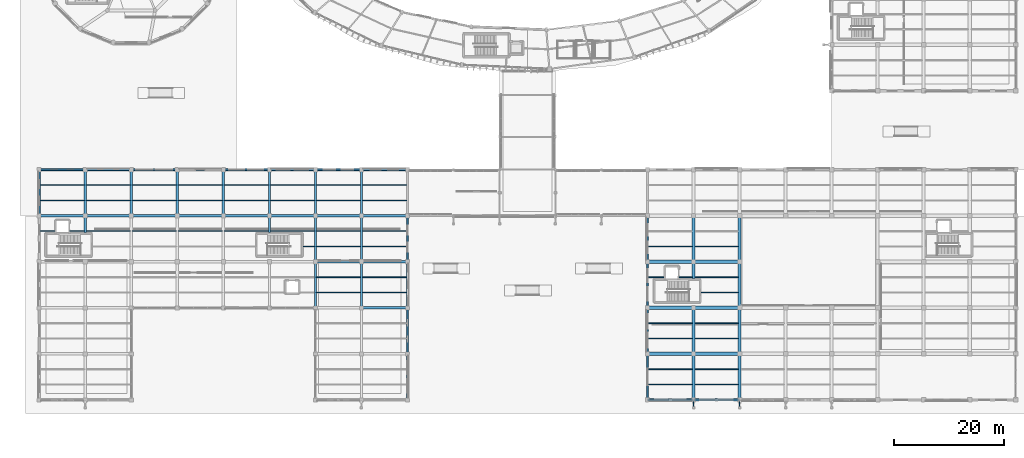
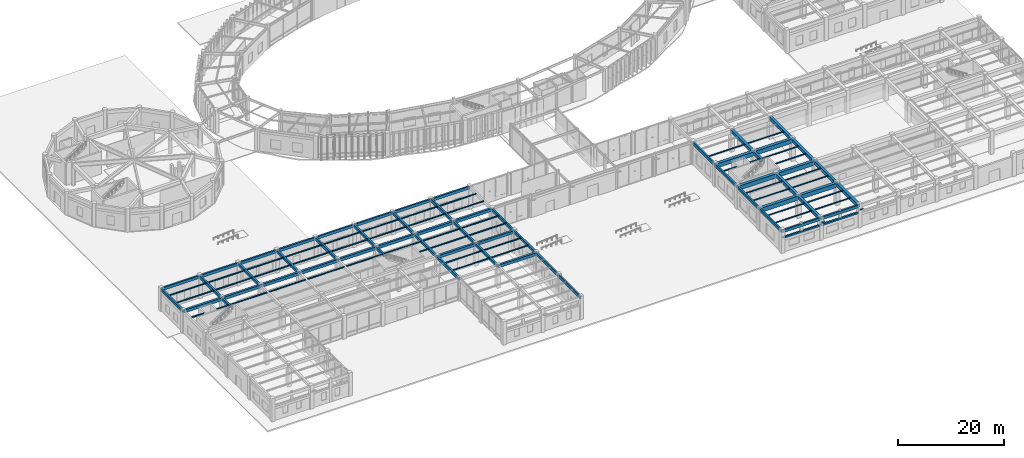
# One storey, part 23 of 157: 105 beams, 2 members.
"""IFC4 building model written with IfcOpenShell, lengths in metres."""

from ifc_helpers import new_model, si_unit, direction, frame, origin, origin_2d, place, context, subcontext, project, spatial, rectangle, hollow_rectangle, i_section, extrude, material, material_profile, profile_set, type_object, element, save


model = new_model("IFC4")

# Units and contexts
model_context = context("Model", 3, precision=1e-05, world=origin(), true_north=direction((0.0, 1.0)))
body_context = subcontext(model_context, "Body", "Model", "MODEL_VIEW")
ifc_project = project(units=[si_unit("LENGTHUNIT", "METRE"), si_unit("AREAUNIT", "SQUARE_METRE"), si_unit("VOLUMEUNIT", "CUBIC_METRE"), si_unit("PLANEANGLEUNIT", "RADIAN"), si_unit("MASSUNIT", "GRAM", prefix="KILO"), si_unit("THERMODYNAMICTEMPERATUREUNIT", "KELVIN"), si_unit("POWERUNIT", "WATT")], contexts=[model_context])

# Site, building, storey
site_placement = place(None, origin())
site = spatial("IfcSite", under=ifc_project, at=site_placement, CompositionType="ELEMENT")
building_placement = place(site_placement, origin())
building = spatial("IfcBuilding", under=site, at=building_placement, Name="Darbajah Civic Hall", CompositionType="ELEMENT")
storey_placement = place(building_placement, origin())
storey = spatial("IfcBuildingStorey", under=building, at=storey_placement, Name="L00", CompositionType="ELEMENT", Elevation=0.0)

# Beams
ifc_material_1 = material(Name="Concrete C45/55", Category="concrete")
ifc_material_profile_1 = material_profile(ifc_material_1, rectangle(XDim=0.39990234375, YDim=0.60009765625, at=origin_2d()), Name="RC BEAM 400x600")
ifc_profile_set_1 = profile_set([ifc_material_profile_1], Name="Concrete C45/55")
beam_type_1 = type_object("IfcBeamType", Name="RC BEAM 400x600", PredefinedType="BEAM", material=ifc_profile_set_1)
beam_1_placement = place(storey_placement, frame((8.39990234375, 30.5400390625, 4.840087890625), z_axis=(0.0, 1.0, 0.0), x_axis=(-1.0, 0.0, 0.0)))
element("IfcBeam", 1, at=beam_1_placement, inside=storey, type_object=beam_type_1, Name="L00 beam BM-4060", PredefinedType="BEAM", context=body_context, shape_type="SweptSolid", body=[
    extrude(rectangle(XDim=0.39990234375, YDim=0.60009765625, at=origin_2d()), origin(), (0.0, 0.0, 1.0), 2.97998046875),
])
for number, where, z_axis, x_axis, name in (
    (2, (8.39990234375, 33.679931640625, 4.840087890625), (0.0, 1.0, 0.0), (-1.0, 0.0, 0.0), "L00 beam BM-4060"),
    (3, (16.800048828125, 33.679931640625, 4.840087890625), (0.0, 1.0, 0.0), (-1.0, 0.0, 0.0), "L00 beam BM-4060"),
    (4, (25.199951171875, 33.679931640625, 4.840087890625), (0.0, 1.0, 0.0), (-1.0, 0.0, 0.0), "L00 beam BM-4060"),
    (5, (33.60009765625, 33.679931640625, 4.840087890625), (0.0, 1.0, 0.0), (-1.0, 0.0, 0.0), "L00 beam BM-4060"),
):
    element("IfcBeam", number, at=place(storey_placement, frame(where, z_axis=z_axis, x_axis=x_axis)), inside=storey, type_object=beam_type_1, Name=name, PredefinedType="BEAM", context=body_context, shape_type="SweptSolid", body=[
        extrude(rectangle(XDim=0.39990234375, YDim=0.60009765625, at=origin_2d()), origin(), (0.0, 0.0, 1.0), 8.239990234375),
    ])
beam_2_placement = place(storey_placement, frame((42.0, 30.5400390625, 4.840087890625), z_axis=(0.0, 1.0, 0.0), x_axis=(-1.0, 0.0, 0.0)))
element("IfcBeam", 6, at=beam_2_placement, inside=storey, type_object=beam_type_1, Name="L00 beam BM-4060", PredefinedType="BEAM", context=body_context, shape_type="SweptSolid", body=[
    extrude(rectangle(XDim=0.39990234375, YDim=0.60009765625, at=origin_2d()), origin(), (0.0, 0.0, 1.0), 2.97998046875),
])
beam_3_placement = place(storey_placement, frame((42.0, 33.679931640625, 4.840087890625), z_axis=(0.0, 1.0, 0.0), x_axis=(-1.0, 0.0, 0.0)))
element("IfcBeam", 7, at=beam_3_placement, inside=storey, type_object=beam_type_1, Name="L00 beam BM-4060", PredefinedType="BEAM", context=body_context, shape_type="SweptSolid", body=[
    extrude(rectangle(XDim=0.39990234375, YDim=0.60009765625, at=origin_2d()), origin(), (0.0, 0.0, 1.0), 8.239990234375),
])
beam_4_placement = place(storey_placement, frame((50.39990234375, 16.8798828125, 4.840087890625), z_axis=(0.0, 1.0, 0.0), x_axis=(-1.0, 0.0, 0.0)))
element("IfcBeam", 8, at=beam_4_placement, inside=storey, type_object=beam_type_1, Name="L00 beam BM-4060", PredefinedType="BEAM", context=body_context, shape_type="SweptSolid", body=[
    extrude(rectangle(XDim=0.39990234375, YDim=0.60009765625, at=origin_2d()), origin(), (0.0, 0.0, 1.0), 8.240234375),
])
for number, where, z_axis, x_axis, name in (
    (9, (50.39990234375, 25.280029296875, 4.840087890625), (0.0, 1.0, 0.0), (-1.0, 0.0, 0.0), "L00 beam BM-4060"),
    (10, (50.39990234375, 33.679931640625, 4.840087890625), (0.0, 1.0, 0.0), (-1.0, 0.0, 0.0), "L00 beam BM-4060"),
):
    element("IfcBeam", number, at=place(storey_placement, frame(where, z_axis=z_axis, x_axis=x_axis)), inside=storey, type_object=beam_type_1, Name=name, PredefinedType="BEAM", context=body_context, shape_type="SweptSolid", body=[
        extrude(rectangle(XDim=0.39990234375, YDim=0.60009765625, at=origin_2d()), origin(), (0.0, 0.0, 1.0), 8.239990234375),
    ])
beam_5_placement = place(storey_placement, frame((58.800048828125, 16.8798828125, 4.840087890625), z_axis=(0.0, 1.0, 0.0), x_axis=(-1.0, 0.0, 0.0)))
element("IfcBeam", 11, at=beam_5_placement, inside=storey, type_object=beam_type_1, Name="L00 beam BM-4060", PredefinedType="BEAM", context=body_context, shape_type="SweptSolid", body=[
    extrude(rectangle(XDim=0.39990234375, YDim=0.60009765625, at=origin_2d()), origin(), (0.0, 0.0, 1.0), 8.240234375),
])
for number, where, z_axis, x_axis, name in (
    (12, (58.800048828125, 25.280029296875, 4.840087890625), (0.0, 1.0, 0.0), (-1.0, 0.0, 0.0), "L00 beam BM-4060"),
    (13, (58.800048828125, 33.679931640625, 4.840087890625), (0.0, 1.0, 0.0), (-1.0, 0.0, 0.0), "L00 beam BM-4060"),
):
    element("IfcBeam", number, at=place(storey_placement, frame(where, z_axis=z_axis, x_axis=x_axis)), inside=storey, type_object=beam_type_1, Name=name, PredefinedType="BEAM", context=body_context, shape_type="SweptSolid", body=[
        extrude(rectangle(XDim=0.39990234375, YDim=0.60009765625, at=origin_2d()), origin(), (0.0, 0.0, 1.0), 8.239990234375),
    ])
ifc_material_profile_2 = material_profile(ifc_material_1, rectangle(XDim=0.449951171875, YDim=0.64990234375, at=origin_2d()), Name="RC BEAM 450x650")
ifc_profile_set_2 = profile_set([ifc_material_profile_2], Name="Concrete C45/55")
beam_type_2 = type_object("IfcBeamType", Name="RC BEAM 450x650", PredefinedType="BEAM", material=ifc_profile_set_2)
beam_6_placement = place(storey_placement, frame((58.8798828125, 16.800048828125, 4.81494140625), z_axis=(1.0, 0.0, 0.0), x_axis=(0.0, 1.0, 0.0)))
element("IfcBeam", 14, at=beam_6_placement, inside=storey, type_object=beam_type_2, Name="L00 beam BM-4565", PredefinedType="BEAM", context=body_context, shape_type="SweptSolid", body=[
    extrude(rectangle(XDim=0.449951171875, YDim=0.64990234375, at=origin_2d()), origin(), (0.0, 0.0, 1.0), 8.240234375),
])
beam_7_placement = place(storey_placement, frame((50.47998046875, 25.199951171875, 4.81494140625), z_axis=(1.0, 0.0, 0.0), x_axis=(0.0, 1.0, 0.0)))
element("IfcBeam", 15, at=beam_7_placement, inside=storey, type_object=beam_type_2, Name="L00 beam BM-4565", PredefinedType="BEAM", context=body_context, shape_type="SweptSolid", body=[
    extrude(rectangle(XDim=0.449951171875, YDim=0.64990234375, at=origin_2d()), origin(), (0.0, 0.0, 1.0), 8.239990234375),
])
beam_8_placement = place(storey_placement, frame((58.8798828125, 25.199951171875, 4.81494140625), z_axis=(1.0, 0.0, 0.0), x_axis=(0.0, 1.0, 0.0)))
element("IfcBeam", 16, at=beam_8_placement, inside=storey, type_object=beam_type_2, Name="L00 beam BM-4565", PredefinedType="BEAM", context=body_context, shape_type="SweptSolid", body=[
    extrude(rectangle(XDim=0.449951171875, YDim=0.64990234375, at=origin_2d()), origin(), (0.0, 0.0, 1.0), 8.240234375),
])
for number, where, z_axis, x_axis, name in (
    (17, (0.080078125, 33.60009765625, 4.81494140625), (1.0, 0.0, 0.0), (0.0, 1.0, 0.0), "L00 beam BM-4565"),
    (18, (8.47998046875, 33.60009765625, 4.81494140625), (1.0, 0.0, 0.0), (0.0, 1.0, 0.0), "L00 beam BM-4565"),
):
    element("IfcBeam", number, at=place(storey_placement, frame(where, z_axis=z_axis, x_axis=x_axis)), inside=storey, type_object=beam_type_2, Name=name, PredefinedType="BEAM", context=body_context, shape_type="SweptSolid", body=[
        extrude(rectangle(XDim=0.449951171875, YDim=0.64990234375, at=origin_2d()), origin(), (0.0, 0.0, 1.0), 8.239990234375),
    ])
beam_9_placement = place(storey_placement, frame((16.8798828125, 33.60009765625, 4.81494140625), z_axis=(1.0, 0.0, 0.0), x_axis=(0.0, 1.0, 0.0)))
element("IfcBeam", 19, at=beam_9_placement, inside=storey, type_object=beam_type_2, Name="L00 beam BM-4565", PredefinedType="BEAM", context=body_context, shape_type="SweptSolid", body=[
    extrude(rectangle(XDim=0.449951171875, YDim=0.64990234375, at=origin_2d()), origin(), (0.0, 0.0, 1.0), 8.240234375),
])
for number, where, z_axis, x_axis, name in (
    (20, (25.280029296875, 33.60009765625, 4.81494140625), (1.0, 0.0, 0.0), (0.0, 1.0, 0.0), "L00 beam BM-4565"),
    (21, (33.679931640625, 33.60009765625, 4.81494140625), (1.0, 0.0, 0.0), (0.0, 1.0, 0.0), "L00 beam BM-4565"),
    (22, (42.080078125, 33.60009765625, 4.81494140625), (1.0, 0.0, 0.0), (0.0, 1.0, 0.0), "L00 beam BM-4565"),
    (23, (50.47998046875, 33.60009765625, 4.81494140625), (1.0, 0.0, 0.0), (0.0, 1.0, 0.0), "L00 beam BM-4565"),
):
    element("IfcBeam", number, at=place(storey_placement, frame(where, z_axis=z_axis, x_axis=x_axis)), inside=storey, type_object=beam_type_2, Name=name, PredefinedType="BEAM", context=body_context, shape_type="SweptSolid", body=[
        extrude(rectangle(XDim=0.449951171875, YDim=0.64990234375, at=origin_2d()), origin(), (0.0, 0.0, 1.0), 8.239990234375),
    ])
beam_10_placement = place(storey_placement, frame((58.8798828125, 33.60009765625, 4.81494140625), z_axis=(1.0, 0.0, 0.0), x_axis=(0.0, 1.0, 0.0)))
element("IfcBeam", 24, at=beam_10_placement, inside=storey, type_object=beam_type_2, Name="L00 beam BM-4565", PredefinedType="BEAM", context=body_context, shape_type="SweptSolid", body=[
    extrude(rectangle(XDim=0.449951171875, YDim=0.64990234375, at=origin_2d()), origin(), (0.0, 0.0, 1.0), 8.240234375),
])
ifc_material_profile_3 = material_profile(ifc_material_1, rectangle(XDim=0.550048828125, YDim=0.75, at=origin_2d()), Name="RC BEAM 550x750")
ifc_profile_set_3 = profile_set([ifc_material_profile_3], Name="Concrete C45/55")
beam_type_3 = type_object("IfcBeamType", Name="RC BEAM 550x750", PredefinedType="BEAM", material=ifc_profile_set_3)
for number, where, z_axis, x_axis, name in (
    (25, (119.39990234375, 0.080078125, 4.72509765625), (0.0, 1.0, 0.0), (-1.0, 0.0, 0.0), "L00 beam BM-5575"),
    (26, (119.39990234375, 8.47998046875, 4.72509765625), (0.0, 1.0, 0.0), (-1.0, 0.0, 0.0), "L00 beam BM-5575"),
):
    element("IfcBeam", number, at=place(storey_placement, frame(where, z_axis=z_axis, x_axis=x_axis)), inside=storey, type_object=beam_type_3, Name=name, PredefinedType="BEAM", context=body_context, shape_type="SweptSolid", body=[
        extrude(rectangle(XDim=0.550048828125, YDim=0.75, at=origin_2d()), origin(), (0.0, 0.0, 1.0), 8.239990234375),
    ])
beam_11_placement = place(storey_placement, frame((119.39990234375, 22.139892578125, 4.72509765625), z_axis=(0.0, 1.0, 0.0), x_axis=(-1.0, 0.0, 0.0)))
element("IfcBeam", 27, at=beam_11_placement, inside=storey, type_object=beam_type_3, Name="L00 beam BM-5575", PredefinedType="BEAM", context=body_context, shape_type="SweptSolid", body=[
    extrude(rectangle(XDim=0.550048828125, YDim=0.75, at=origin_2d()), origin(), (0.0, 0.0, 1.0), 2.980224609375),
])
for number, where, z_axis, x_axis, name in (
    (28, (119.39990234375, 25.280029296875, 4.72509765625), (0.0, 1.0, 0.0), (-1.0, 0.0, 0.0), "L00 beam BM-5575"),
    (29, (127.800048828125, 0.080078125, 4.72509765625), (0.0, 1.0, 0.0), (-1.0, 0.0, 0.0), "L00 beam BM-5575"),
    (30, (127.800048828125, 8.47998046875, 4.72509765625), (0.0, 1.0, 0.0), (-1.0, 0.0, 0.0), "L00 beam BM-5575"),
):
    element("IfcBeam", number, at=place(storey_placement, frame(where, z_axis=z_axis, x_axis=x_axis)), inside=storey, type_object=beam_type_3, Name=name, PredefinedType="BEAM", context=body_context, shape_type="SweptSolid", body=[
        extrude(rectangle(XDim=0.550048828125, YDim=0.75, at=origin_2d()), origin(), (0.0, 0.0, 1.0), 8.239990234375),
    ])
beam_12_placement = place(storey_placement, frame((127.800048828125, 16.8798828125, 4.72509765625), z_axis=(0.0, 1.0, 0.0), x_axis=(-1.0, 0.0, 0.0)))
element("IfcBeam", 31, at=beam_12_placement, inside=storey, type_object=beam_type_3, Name="L00 beam BM-5575", PredefinedType="BEAM", context=body_context, shape_type="SweptSolid", body=[
    extrude(rectangle(XDim=0.550048828125, YDim=0.75, at=origin_2d()), origin(), (0.0, 0.0, 1.0), 8.240234375),
])
beam_13_placement = place(storey_placement, frame((127.800048828125, 25.280029296875, 4.72509765625), z_axis=(0.0, 1.0, 0.0), x_axis=(-1.0, 0.0, 0.0)))
element("IfcBeam", 32, at=beam_13_placement, inside=storey, type_object=beam_type_3, Name="L00 beam BM-5575", PredefinedType="BEAM", context=body_context, shape_type="SweptSolid", body=[
    extrude(rectangle(XDim=0.550048828125, YDim=0.75, at=origin_2d()), origin(), (0.0, 0.0, 1.0), 8.239990234375),
])
ifc_material_2 = material(Name="Concrete C50/60", Category="concrete")
ifc_material_profile_4 = material_profile(ifc_material_2, rectangle(XDim=0.64990234375, YDim=0.949951171875, at=origin_2d()), Name="RC GIRDER 650x950")
ifc_profile_set_4 = profile_set([ifc_material_profile_4], Name="Concrete C50/60")
beam_type_4 = type_object("IfcBeamType", Name="RC GIRDER 650x950", PredefinedType="BEAM", material=ifc_profile_set_4)
for number, where, z_axis, x_axis, name in (
    (33, (111.080078125, 8.39990234375, 4.625), (1.0, 0.0, 0.0), (0.0, 1.0, 0.0), "L00 beam BG-6595"),
    (34, (119.47998046875, 8.39990234375, 4.625), (1.0, 0.0, 0.0), (0.0, 1.0, 0.0), "L00 beam BG-6595"),
    (35, (111.080078125, 16.800048828125, 4.625), (1.0, 0.0, 0.0), (0.0, 1.0, 0.0), "L00 beam BG-6595"),
    (36, (119.47998046875, 16.800048828125, 4.625), (1.0, 0.0, 0.0), (0.0, 1.0, 0.0), "L00 beam BG-6595"),
    (37, (111.080078125, 25.199951171875, 4.625), (1.0, 0.0, 0.0), (0.0, 1.0, 0.0), "L00 beam BG-6595"),
    (38, (119.47998046875, 25.199951171875, 4.625), (1.0, 0.0, 0.0), (0.0, 1.0, 0.0), "L00 beam BG-6595"),
):
    element("IfcBeam", number, at=place(storey_placement, frame(where, z_axis=z_axis, x_axis=x_axis)), inside=storey, type_object=beam_type_4, Name=name, PredefinedType="BEAM", context=body_context, shape_type="SweptSolid", body=[
        extrude(rectangle(XDim=0.64990234375, YDim=0.949951171875, at=origin_2d()), origin(), (0.0, 0.0, 1.0), 8.239990234375),
    ])
ifc_material_profile_5 = material_profile(ifc_material_1, rectangle(XDim=0.35009765625, YDim=0.35009765625, at=origin_2d()), Name="RC LINTEL 350x350")
ifc_profile_set_5 = profile_set([ifc_material_profile_5], Name="Concrete C45/55")
beam_type_5 = type_object("IfcBeamType", Name="RC LINTEL 350x350", PredefinedType="LINTEL", material=ifc_profile_set_5)
for number, where, z_axis, x_axis, name in (
    (39, (111.090087890625, 0.0, 3.27490234375), (1.0, 0.0, 0.0), (0.0, 1.0, 0.0), "L00 stone portal lintel LN-3535"),
    (40, (119.489990234375, 0.0, 3.27490234375), (1.0, 0.0, 0.0), (0.0, 1.0, 0.0), "L00 stone portal lintel LN-3535"),
):
    element("IfcBeam", number, at=place(storey_placement, frame(where, z_axis=z_axis, x_axis=x_axis)), inside=storey, type_object=beam_type_5, Name=name, PredefinedType="LINTEL", context=body_context, shape_type="SweptSolid", body=[
        extrude(rectangle(XDim=0.35009765625, YDim=0.35009765625, at=origin_2d()), origin(), (0.0, 0.0, 1.0), 8.219970703125),
    ])
ifc_material_profile_6 = material_profile(ifc_material_1, rectangle(XDim=0.35009765625, YDim=0.64990234375, at=origin_2d()), Name="RC SPANDREL 350x650")
ifc_profile_set_6 = profile_set([ifc_material_profile_6], Name="Concrete C45/55")
beam_type_6 = type_object("IfcBeamType", Name="RC SPANDREL 350x650", PredefinedType="SPANDREL", material=ifc_profile_set_6)
for number, where, z_axis, x_axis, name in (
    (41, (111.080078125, 0.0, 4.77490234375), (1.0, 0.0, 0.0), (0.0, 1.0, 0.0), "L00 beam SP-3565"),
    (42, (119.47998046875, 0.0, 4.77490234375), (1.0, 0.0, 0.0), (0.0, 1.0, 0.0), "L00 beam SP-3565"),
    (43, (111.0, 0.080078125, 4.77490234375), (0.0, 1.0, 0.0), (-1.0, 0.0, 0.0), "L00 beam SP-3565"),
    (44, (111.0, 8.47998046875, 4.77490234375), (0.0, 1.0, 0.0), (-1.0, 0.0, 0.0), "L00 beam SP-3565"),
):
    element("IfcBeam", number, at=place(storey_placement, frame(where, z_axis=z_axis, x_axis=x_axis)), inside=storey, type_object=beam_type_6, Name=name, PredefinedType="SPANDREL", context=body_context, shape_type="SweptSolid", body=[
        extrude(rectangle(XDim=0.35009765625, YDim=0.64990234375, at=origin_2d()), origin(), (0.0, 0.0, 1.0), 8.239990234375),
    ])
beam_14_placement = place(storey_placement, frame((111.0, 16.8798828125, 4.77490234375), z_axis=(0.0, 1.0, 0.0), x_axis=(-1.0, 0.0, 0.0)))
element("IfcBeam", 45, at=beam_14_placement, inside=storey, type_object=beam_type_6, Name="L00 beam SP-3565", PredefinedType="SPANDREL", context=body_context, shape_type="SweptSolid", body=[
    extrude(rectangle(XDim=0.35009765625, YDim=0.64990234375, at=origin_2d()), origin(), (0.0, 0.0, 1.0), 8.240234375),
])
for number, where, z_axis, x_axis, name in (
    (46, (111.0, 25.280029296875, 4.77490234375), (0.0, 1.0, 0.0), (-1.0, 0.0, 0.0), "L00 beam SP-3565"),
    (47, (0.080078125, 42.0, 4.81494140625), (1.0, 0.0, 0.0), (0.0, 1.0, 0.0), "L00 beam SP-3565"),
    (48, (8.47998046875, 42.0, 4.81494140625), (1.0, 0.0, 0.0), (0.0, 1.0, 0.0), "L00 beam SP-3565"),
):
    element("IfcBeam", number, at=place(storey_placement, frame(where, z_axis=z_axis, x_axis=x_axis)), inside=storey, type_object=beam_type_6, Name=name, PredefinedType="SPANDREL", context=body_context, shape_type="SweptSolid", body=[
        extrude(rectangle(XDim=0.35009765625, YDim=0.64990234375, at=origin_2d()), origin(), (0.0, 0.0, 1.0), 8.239990234375),
    ])
beam_15_placement = place(storey_placement, frame((16.8798828125, 42.0, 4.81494140625), z_axis=(1.0, 0.0, 0.0), x_axis=(0.0, 1.0, 0.0)))
element("IfcBeam", 49, at=beam_15_placement, inside=storey, type_object=beam_type_6, Name="L00 beam SP-3565", PredefinedType="SPANDREL", context=body_context, shape_type="SweptSolid", body=[
    extrude(rectangle(XDim=0.35009765625, YDim=0.64990234375, at=origin_2d()), origin(), (0.0, 0.0, 1.0), 8.240234375),
])
for number, where, z_axis, x_axis, name in (
    (50, (25.280029296875, 42.0, 4.81494140625), (1.0, 0.0, 0.0), (0.0, 1.0, 0.0), "L00 beam SP-3565"),
    (51, (33.679931640625, 42.0, 4.81494140625), (1.0, 0.0, 0.0), (0.0, 1.0, 0.0), "L00 beam SP-3565"),
    (52, (42.080078125, 42.0, 4.81494140625), (1.0, 0.0, 0.0), (0.0, 1.0, 0.0), "L00 beam SP-3565"),
    (53, (50.47998046875, 42.0, 4.81494140625), (1.0, 0.0, 0.0), (0.0, 1.0, 0.0), "L00 beam SP-3565"),
):
    element("IfcBeam", number, at=place(storey_placement, frame(where, z_axis=z_axis, x_axis=x_axis)), inside=storey, type_object=beam_type_6, Name=name, PredefinedType="SPANDREL", context=body_context, shape_type="SweptSolid", body=[
        extrude(rectangle(XDim=0.35009765625, YDim=0.64990234375, at=origin_2d()), origin(), (0.0, 0.0, 1.0), 8.239990234375),
    ])
beam_16_placement = place(storey_placement, frame((58.8798828125, 42.0, 4.81494140625), z_axis=(1.0, 0.0, 0.0), x_axis=(0.0, 1.0, 0.0)))
element("IfcBeam", 54, at=beam_16_placement, inside=storey, type_object=beam_type_6, Name="L00 beam SP-3565", PredefinedType="SPANDREL", context=body_context, shape_type="SweptSolid", body=[
    extrude(rectangle(XDim=0.35009765625, YDim=0.64990234375, at=origin_2d()), origin(), (0.0, 0.0, 1.0), 8.240234375),
])
for number, where, z_axis, x_axis, name in (
    (55, (0.0, 33.679931640625, 4.81494140625), (0.0, 1.0, 0.0), (-1.0, 0.0, 0.0), "L00 beam SP-3565"),
    (56, (67.199951171875, 0.080078125, 4.81494140625), (0.0, 1.0, 0.0), (-1.0, 0.0, 0.0), "L00 beam SP-3565"),
    (57, (67.199951171875, 8.47998046875, 4.81494140625), (0.0, 1.0, 0.0), (-1.0, 0.0, 0.0), "L00 beam SP-3565"),
):
    element("IfcBeam", number, at=place(storey_placement, frame(where, z_axis=z_axis, x_axis=x_axis)), inside=storey, type_object=beam_type_6, Name=name, PredefinedType="SPANDREL", context=body_context, shape_type="SweptSolid", body=[
        extrude(rectangle(XDim=0.35009765625, YDim=0.64990234375, at=origin_2d()), origin(), (0.0, 0.0, 1.0), 8.239990234375),
    ])
beam_17_placement = place(storey_placement, frame((67.199951171875, 16.8798828125, 4.81494140625), z_axis=(0.0, 1.0, 0.0), x_axis=(-1.0, 0.0, 0.0)))
element("IfcBeam", 58, at=beam_17_placement, inside=storey, type_object=beam_type_6, Name="L00 beam SP-3565", PredefinedType="SPANDREL", context=body_context, shape_type="SweptSolid", body=[
    extrude(rectangle(XDim=0.35009765625, YDim=0.64990234375, at=origin_2d()), origin(), (0.0, 0.0, 1.0), 8.240234375),
])
beam_18_placement = place(storey_placement, frame((67.199951171875, 25.280029296875, 4.81494140625), z_axis=(0.0, 1.0, 0.0), x_axis=(-1.0, 0.0, 0.0)))
element("IfcBeam", 59, at=beam_18_placement, inside=storey, type_object=beam_type_6, Name="L00 beam SP-3565", PredefinedType="SPANDREL", context=body_context, shape_type="SweptSolid", body=[
    extrude(rectangle(XDim=0.35009765625, YDim=0.64990234375, at=origin_2d()), origin(), (0.0, 0.0, 1.0), 8.239990234375),
])

# Members
ifc_material_3 = material(Name="Steel S355JR", Category="steel")
ifc_material_profile_7 = material_profile(ifc_material_3, hollow_rectangle(XDim=0.10009765625, YDim=0.199951171875, WallThickness=0.008056640625, at=origin_2d()), Name="RHS 200x100x8")
ifc_profile_set_7 = profile_set([ifc_material_profile_7], Name="Steel S355JR")
member_type = type_object("IfcMemberType", Name="RHS 200x100x8", PredefinedType="STRUT", material=ifc_profile_set_7)
for number, where, z_axis, x_axis, name in (
    (60, (119.39990234375, -0.407958984375, 4.10009765625), (0.0, -0.774935227591, 0.632040657742), (1.0, 0.0, 0.0), "L00 chhajja canopy raking strut 5"),
    (61, (127.800048828125, -0.407958984375, 4.10009765625), (0.0, -0.774935227591, 0.632040657742), (1.0, 0.0, 0.0), "L00 chhajja canopy raking strut 6"),
):
    element("IfcMember", number, at=place(storey_placement, frame(where, z_axis=z_axis, x_axis=x_axis)), inside=storey, type_object=member_type, Name=name, PredefinedType="STRUT", context=body_context, shape_type="SweptSolid", body=[
        extrude(hollow_rectangle(XDim=0.10009765625, YDim=0.199951171875, WallThickness=0.008056640625, at=origin_2d()), origin(), (0.0, 0.0, 1.0), 1.3447265625),
    ])

# Beams
ifc_material_profile_8 = material_profile(ifc_material_3, i_section(OverallWidth=0.1337890625, OverallDepth=0.206787109375, WebThickness=0.00634765625, FlangeThickness=0.009521484375, FilletRadius=0.007568359375, at=origin_2d()), Name="UB 203x133x30")
ifc_profile_set_8 = profile_set([ifc_material_profile_8], Name="Steel S355JR")
beam_type_7 = type_object("IfcBeamType", Name="UB 203x133x30", PredefinedType="JOIST", material=ifc_profile_set_8)
beam_19_placement = place(storey_placement, frame((0.175048828125, 30.800048828125, 5.03662109375), z_axis=(1.0, 0.0, 0.0), x_axis=(0.0, 1.0, 0.0)))
element("IfcBeam", 62, at=beam_19_placement, inside=storey, type_object=beam_type_7, Name="L00 beam SJ-203", PredefinedType="JOIST", context=body_context, shape_type="SweptSolid", body=[
    extrude(i_section(OverallWidth=0.1337890625, OverallDepth=0.206787109375, WebThickness=0.00634765625, FlangeThickness=0.009521484375, FilletRadius=0.007568359375, at=origin_2d()), origin(), (0.0, 0.0, 1.0), 2.704833984375),
])
beam_20_placement = place(storey_placement, frame((5.6201171875, 30.800048828125, 5.03662109375), z_axis=(1.0, 0.0, 0.0), x_axis=(0.0, 1.0, 0.0)))
element("IfcBeam", 63, at=beam_20_placement, inside=storey, type_object=beam_type_7, Name="L00 beam SJ-203", PredefinedType="JOIST", context=body_context, shape_type="SweptSolid", body=[
    extrude(i_section(OverallWidth=0.1337890625, OverallDepth=0.206787109375, WebThickness=0.00634765625, FlangeThickness=0.009521484375, FilletRadius=0.007568359375, at=origin_2d()), origin(), (0.0, 0.0, 1.0), 2.579833984375),
])
for number, where, z_axis, x_axis, name in (
    (64, (0.175048828125, 36.39990234375, 5.03662109375), (1.0, 0.0, 0.0), (0.0, 1.0, 0.0), "L00 beam SJ-203"),
    (65, (0.175048828125, 39.199951171875, 5.03662109375), (1.0, 0.0, 0.0), (0.0, 1.0, 0.0), "L00 beam SJ-203"),
):
    element("IfcBeam", number, at=place(storey_placement, frame(where, z_axis=z_axis, x_axis=x_axis)), inside=storey, type_object=beam_type_7, Name=name, PredefinedType="JOIST", context=body_context, shape_type="SweptSolid", body=[
        extrude(i_section(OverallWidth=0.1337890625, OverallDepth=0.206787109375, WebThickness=0.00634765625, FlangeThickness=0.009521484375, FilletRadius=0.007568359375, at=origin_2d()), origin(), (0.0, 0.0, 1.0), 8.02490234375),
    ])
for number, where, z_axis, x_axis, name in (
    (66, (8.60009765625, 30.800048828125, 5.03662109375), (1.0, 0.0, 0.0), (0.0, 1.0, 0.0), "L00 beam SJ-203"),
    (67, (8.60009765625, 36.39990234375, 5.03662109375), (1.0, 0.0, 0.0), (0.0, 1.0, 0.0), "L00 beam SJ-203"),
    (68, (8.60009765625, 39.199951171875, 5.03662109375), (1.0, 0.0, 0.0), (0.0, 1.0, 0.0), "L00 beam SJ-203"),
    (69, (17.0, 30.800048828125, 5.03662109375), (1.0, 0.0, 0.0), (0.0, 1.0, 0.0), "L00 beam SJ-203"),
    (70, (17.0, 36.39990234375, 5.03662109375), (1.0, 0.0, 0.0), (0.0, 1.0, 0.0), "L00 beam SJ-203"),
    (71, (17.0, 39.199951171875, 5.03662109375), (1.0, 0.0, 0.0), (0.0, 1.0, 0.0), "L00 beam SJ-203"),
    (72, (25.39990234375, 30.800048828125, 5.03662109375), (1.0, 0.0, 0.0), (0.0, 1.0, 0.0), "L00 beam SJ-203"),
    (73, (25.39990234375, 36.39990234375, 5.03662109375), (1.0, 0.0, 0.0), (0.0, 1.0, 0.0), "L00 beam SJ-203"),
    (74, (25.39990234375, 39.199951171875, 5.03662109375), (1.0, 0.0, 0.0), (0.0, 1.0, 0.0), "L00 beam SJ-203"),
    (75, (33.800048828125, 30.800048828125, 5.03662109375), (1.0, 0.0, 0.0), (0.0, 1.0, 0.0), "L00 beam SJ-203"),
    (76, (33.800048828125, 36.39990234375, 5.03662109375), (1.0, 0.0, 0.0), (0.0, 1.0, 0.0), "L00 beam SJ-203"),
    (77, (33.800048828125, 39.199951171875, 5.03662109375), (1.0, 0.0, 0.0), (0.0, 1.0, 0.0), "L00 beam SJ-203"),
):
    element("IfcBeam", number, at=place(storey_placement, frame(where, z_axis=z_axis, x_axis=x_axis)), inside=storey, type_object=beam_type_7, Name=name, PredefinedType="JOIST", context=body_context, shape_type="SweptSolid", body=[
        extrude(i_section(OverallWidth=0.1337890625, OverallDepth=0.206787109375, WebThickness=0.00634765625, FlangeThickness=0.009521484375, FilletRadius=0.007568359375, at=origin_2d()), origin(), (0.0, 0.0, 1.0), 8.0),
    ])
beam_21_placement = place(storey_placement, frame((48.139892578125, 28.0, 5.03662109375), z_axis=(1.0, 0.0, 0.0), x_axis=(0.0, 1.0, 0.0)))
element("IfcBeam", 78, at=beam_21_placement, inside=storey, type_object=beam_type_7, Name="L00 beam SJ-203", PredefinedType="JOIST", context=body_context, shape_type="SweptSolid", body=[
    extrude(i_section(OverallWidth=0.1337890625, OverallDepth=0.206787109375, WebThickness=0.00634765625, FlangeThickness=0.009521484375, FilletRadius=0.007568359375, at=origin_2d()), origin(), (0.0, 0.0, 1.0), 2.06005859375),
])
for number, where, z_axis, x_axis, name in (
    (79, (42.199951171875, 30.800048828125, 5.03662109375), (1.0, 0.0, 0.0), (0.0, 1.0, 0.0), "L00 beam SJ-203"),
    (80, (42.199951171875, 36.39990234375, 5.03662109375), (1.0, 0.0, 0.0), (0.0, 1.0, 0.0), "L00 beam SJ-203"),
    (81, (42.199951171875, 39.199951171875, 5.03662109375), (1.0, 0.0, 0.0), (0.0, 1.0, 0.0), "L00 beam SJ-203"),
    (82, (50.60009765625, 19.60009765625, 5.03662109375), (1.0, 0.0, 0.0), (0.0, 1.0, 0.0), "L00 beam SJ-203"),
    (83, (50.60009765625, 22.39990234375, 5.03662109375), (1.0, 0.0, 0.0), (0.0, 1.0, 0.0), "L00 beam SJ-203"),
    (84, (50.60009765625, 28.0, 5.03662109375), (1.0, 0.0, 0.0), (0.0, 1.0, 0.0), "L00 beam SJ-203"),
    (85, (50.60009765625, 30.800048828125, 5.03662109375), (1.0, 0.0, 0.0), (0.0, 1.0, 0.0), "L00 beam SJ-203"),
    (86, (50.60009765625, 36.39990234375, 5.03662109375), (1.0, 0.0, 0.0), (0.0, 1.0, 0.0), "L00 beam SJ-203"),
    (87, (50.60009765625, 39.199951171875, 5.03662109375), (1.0, 0.0, 0.0), (0.0, 1.0, 0.0), "L00 beam SJ-203"),
):
    element("IfcBeam", number, at=place(storey_placement, frame(where, z_axis=z_axis, x_axis=x_axis)), inside=storey, type_object=beam_type_7, Name=name, PredefinedType="JOIST", context=body_context, shape_type="SweptSolid", body=[
        extrude(i_section(OverallWidth=0.1337890625, OverallDepth=0.206787109375, WebThickness=0.00634765625, FlangeThickness=0.009521484375, FilletRadius=0.007568359375, at=origin_2d()), origin(), (0.0, 0.0, 1.0), 8.0),
    ])
for number, where, z_axis, x_axis, name in (
    (88, (59.0, 19.60009765625, 5.03662109375), (1.0, 0.0, 0.0), (0.0, 1.0, 0.0), "L00 beam SJ-203"),
    (89, (59.0, 22.39990234375, 5.03662109375), (1.0, 0.0, 0.0), (0.0, 1.0, 0.0), "L00 beam SJ-203"),
    (90, (59.0, 28.0, 5.03662109375), (1.0, 0.0, 0.0), (0.0, 1.0, 0.0), "L00 beam SJ-203"),
    (91, (59.0, 30.800048828125, 5.03662109375), (1.0, 0.0, 0.0), (0.0, 1.0, 0.0), "L00 beam SJ-203"),
    (92, (59.0, 36.39990234375, 5.03662109375), (1.0, 0.0, 0.0), (0.0, 1.0, 0.0), "L00 beam SJ-203"),
    (93, (59.0, 39.199951171875, 5.03662109375), (1.0, 0.0, 0.0), (0.0, 1.0, 0.0), "L00 beam SJ-203"),
):
    element("IfcBeam", number, at=place(storey_placement, frame(where, z_axis=z_axis, x_axis=x_axis)), inside=storey, type_object=beam_type_7, Name=name, PredefinedType="JOIST", context=body_context, shape_type="SweptSolid", body=[
        extrude(i_section(OverallWidth=0.1337890625, OverallDepth=0.206787109375, WebThickness=0.00634765625, FlangeThickness=0.009521484375, FilletRadius=0.007568359375, at=origin_2d()), origin(), (0.0, 0.0, 1.0), 8.02490234375),
    ])
ifc_material_profile_9 = material_profile(ifc_material_3, i_section(OverallWidth=0.146484375, OverallDepth=0.256103515625, WebThickness=0.00634765625, FlangeThickness=0.010986328125, FilletRadius=0.007568359375, at=origin_2d()), Name="UB 254x146x37")
ifc_profile_set_9 = profile_set([ifc_material_profile_9], Name="Steel S355JR")
beam_type_8 = type_object("IfcBeamType", Name="UB 254x146x37", PredefinedType="JOIST", material=ifc_profile_set_9)
for number, where, z_axis, x_axis, name in (
    (94, (111.175048828125, 2.800048828125, 4.971923828125), (1.0, 0.0, 0.0), (0.0, 1.0, 0.0), "L00 beam SJ-254"),
    (95, (111.175048828125, 5.60009765625, 4.971923828125), (1.0, 0.0, 0.0), (0.0, 1.0, 0.0), "L00 beam SJ-254"),
    (96, (111.175048828125, 11.199951171875, 4.971923828125), (1.0, 0.0, 0.0), (0.0, 1.0, 0.0), "L00 beam SJ-254"),
    (97, (111.175048828125, 14.0, 4.971923828125), (1.0, 0.0, 0.0), (0.0, 1.0, 0.0), "L00 beam SJ-254"),
):
    element("IfcBeam", number, at=place(storey_placement, frame(where, z_axis=z_axis, x_axis=x_axis)), inside=storey, type_object=beam_type_8, Name=name, PredefinedType="JOIST", context=body_context, shape_type="SweptSolid", body=[
        extrude(i_section(OverallWidth=0.146484375, OverallDepth=0.256103515625, WebThickness=0.00634765625, FlangeThickness=0.010986328125, FilletRadius=0.007568359375, at=origin_2d()), origin(), (0.0, 0.0, 1.0), 7.949951171875),
    ])
beam_22_placement = place(storey_placement, frame((111.175048828125, 22.39990234375, 4.971923828125), z_axis=(1.0, 0.0, 0.0), x_axis=(0.0, 1.0, 0.0)))
element("IfcBeam", 98, at=beam_22_placement, inside=storey, type_object=beam_type_8, Name="L00 beam SJ-254", PredefinedType="JOIST", context=body_context, shape_type="SweptSolid", body=[
    extrude(i_section(OverallWidth=0.146484375, OverallDepth=0.256103515625, WebThickness=0.00634765625, FlangeThickness=0.010986328125, FilletRadius=0.007568359375, at=origin_2d()), origin(), (0.0, 0.0, 1.0), 2.905029296875),
])
beam_23_placement = place(storey_placement, frame((116.820068359375, 22.39990234375, 4.971923828125), z_axis=(1.0, 0.0, 0.0), x_axis=(0.0, 1.0, 0.0)))
element("IfcBeam", 99, at=beam_23_placement, inside=storey, type_object=beam_type_8, Name="L00 beam SJ-254", PredefinedType="JOIST", context=body_context, shape_type="SweptSolid", body=[
    extrude(i_section(OverallWidth=0.146484375, OverallDepth=0.256103515625, WebThickness=0.00634765625, FlangeThickness=0.010986328125, FilletRadius=0.007568359375, at=origin_2d()), origin(), (0.0, 0.0, 1.0), 2.304931640625),
])
beam_24_placement = place(storey_placement, frame((111.175048828125, 28.0, 4.971923828125), z_axis=(1.0, 0.0, 0.0), x_axis=(0.0, 1.0, 0.0)))
element("IfcBeam", 100, at=beam_24_placement, inside=storey, type_object=beam_type_8, Name="L00 beam SJ-254", PredefinedType="JOIST", context=body_context, shape_type="SweptSolid", body=[
    extrude(i_section(OverallWidth=0.146484375, OverallDepth=0.256103515625, WebThickness=0.00634765625, FlangeThickness=0.010986328125, FilletRadius=0.007568359375, at=origin_2d()), origin(), (0.0, 0.0, 1.0), 7.949951171875),
])
for number, where, z_axis, x_axis, name in (
    (101, (119.675048828125, 2.800048828125, 4.971923828125), (1.0, 0.0, 0.0), (0.0, 1.0, 0.0), "L00 beam SJ-254"),
    (102, (119.675048828125, 5.60009765625, 4.971923828125), (1.0, 0.0, 0.0), (0.0, 1.0, 0.0), "L00 beam SJ-254"),
    (103, (119.675048828125, 11.199951171875, 4.971923828125), (1.0, 0.0, 0.0), (0.0, 1.0, 0.0), "L00 beam SJ-254"),
    (104, (119.675048828125, 14.0, 4.971923828125), (1.0, 0.0, 0.0), (0.0, 1.0, 0.0), "L00 beam SJ-254"),
):
    element("IfcBeam", number, at=place(storey_placement, frame(where, z_axis=z_axis, x_axis=x_axis)), inside=storey, type_object=beam_type_8, Name=name, PredefinedType="JOIST", context=body_context, shape_type="SweptSolid", body=[
        extrude(i_section(OverallWidth=0.146484375, OverallDepth=0.256103515625, WebThickness=0.00634765625, FlangeThickness=0.010986328125, FilletRadius=0.007568359375, at=origin_2d()), origin(), (0.0, 0.0, 1.0), 7.849853515625),
    ])
beam_25_placement = place(storey_placement, frame((120.739990234375, 19.60009765625, 4.971923828125), z_axis=(1.0, 0.0, 0.0), x_axis=(0.0, 1.0, 0.0)))
element("IfcBeam", 105, at=beam_25_placement, inside=storey, type_object=beam_type_8, Name="L00 beam SJ-254", PredefinedType="JOIST", context=body_context, shape_type="SweptSolid", body=[
    extrude(i_section(OverallWidth=0.146484375, OverallDepth=0.256103515625, WebThickness=0.00634765625, FlangeThickness=0.010986328125, FilletRadius=0.007568359375, at=origin_2d()), origin(), (0.0, 0.0, 1.0), 6.784912109375),
])
for number, where, z_axis, x_axis, name in (
    (106, (119.675048828125, 22.39990234375, 4.971923828125), (1.0, 0.0, 0.0), (0.0, 1.0, 0.0), "L00 beam SJ-254"),
    (107, (119.675048828125, 28.0, 4.971923828125), (1.0, 0.0, 0.0), (0.0, 1.0, 0.0), "L00 beam SJ-254"),
):
    element("IfcBeam", number, at=place(storey_placement, frame(where, z_axis=z_axis, x_axis=x_axis)), inside=storey, type_object=beam_type_8, Name=name, PredefinedType="JOIST", context=body_context, shape_type="SweptSolid", body=[
        extrude(i_section(OverallWidth=0.146484375, OverallDepth=0.256103515625, WebThickness=0.00634765625, FlangeThickness=0.010986328125, FilletRadius=0.007568359375, at=origin_2d()), origin(), (0.0, 0.0, 1.0), 7.849853515625),
    ])

save(model, "model.ifc")
